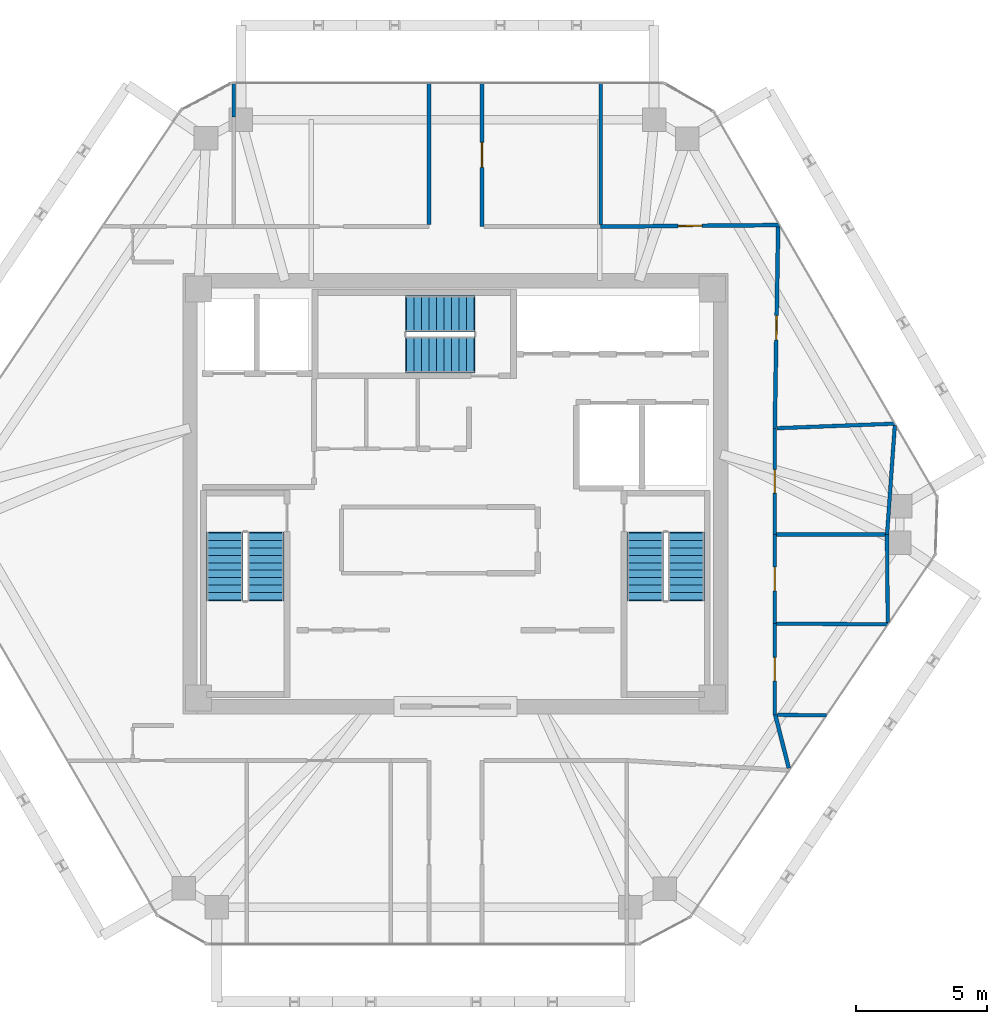
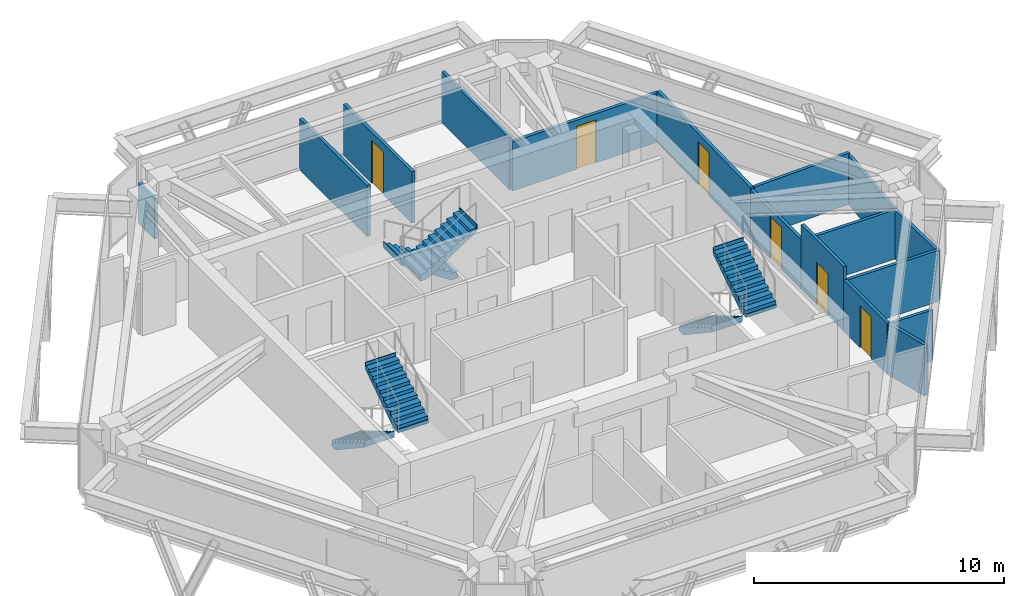
# One storey, part 10 of 11: 16 walls, 6 doors, 6 stair flights, 6 openings, 3 elements without a shape of their own.
"""IFC4 building model written with IfcOpenShell, lengths in metres."""

from ifc_helpers import new_model, si_unit, direction, frame, frame_2d, origin, place, context, subcontext, project, spatial, polyline, rectangle, outline, extrude, source, transform, mapped, material, layer, layer_set, type_object, type_shapes, element, fill, aggregate, save


model = new_model("IFC4")

# Units and contexts
model_context = context("Model", 3, precision=1e-05, world=origin(), true_north=direction((0.0, 1.0)))
body_context = subcontext(model_context, "Body", "Model", "MODEL_VIEW")
ifc_project = project(units=[si_unit("LENGTHUNIT", "METRE"), si_unit("AREAUNIT", "SQUARE_METRE"), si_unit("VOLUMEUNIT", "CUBIC_METRE"), si_unit("PLANEANGLEUNIT", "RADIAN"), si_unit("MASSUNIT", "GRAM", prefix="KILO")], contexts=[model_context])

# Site, building, storey
site_placement = place(None, origin())
site = spatial("IfcSite", under=ifc_project, at=site_placement, CompositionType="ELEMENT")
building_placement = place(site_placement, origin())
building = spatial("IfcBuilding", under=site, at=building_placement, Name="Durnholm Broadcast Tower", CompositionType="ELEMENT")
storey_placement = place(building_placement, frame((0.0, 0.0, 258.10009765625)))
storey = spatial("IfcBuildingStorey", under=building, at=storey_placement, Name="L72", CompositionType="ELEMENT", Elevation=258.10009765625)

# Walls
ifc_material_1 = material(Name="Gypsum Metal Stud Partition", Category="concrete")
ifc_layer_1 = layer(ifc_material_1, 0.135009765625)
ifc_layer_set_1 = layer_set([ifc_layer_1], Name="Gypsum Metal Stud Partition")
wall_type_1 = type_object("IfcWallType", Name="WALL-PART-135", PredefinedType="PARTITIONING", material=ifc_layer_set_1)
wall_1_placement = place(storey_placement, frame((-8.4599609375, 15.662109375, 0.0), z_axis=(0.0, 0.0, 1.0), x_axis=(0.0, -1.0, 0.0)))
element("IfcWall", 1, at=wall_1_placement, inside=storey, type_object=wall_type_1, Name="L72 room dividing partition 12.13", PredefinedType="PARTITIONING", context=body_context, shape_type="SweptSolid", body=[
    extrude(rectangle(XDim=1.301025390625, YDim=0.135009765625, at=frame_2d((0.650390625, 0.0))), origin(), (0.0, 0.0, 1.0), 1.97705078125),
])
wall_2_placement = place(storey_placement, frame((5.5400390625, 15.662109375, 0.0), z_axis=(0.0, 0.0, 1.0), x_axis=(0.0, -1.0, 0.0)))
element("IfcWall", 2, at=wall_2_placement, inside=storey, type_object=wall_type_1, Name="L72 room dividing partition 14.15", PredefinedType="PARTITIONING", context=body_context, shape_type="SweptSolid", body=[
    extrude(rectangle(XDim=5.40234375, YDim=0.135009765625, at=frame_2d((2.701171875, 0.0))), origin(), (0.0, 0.0, 1.0), 2.498779296875),
])
ifc_material_2 = material(Name="Acoustic Gypsum Stud Partition", Category="concrete")
ifc_layer_2 = layer(ifc_material_2, 0.14990234375)
ifc_layer_set_2 = layer_set([ifc_layer_2], Name="Acoustic Gypsum Stud Partition")
wall_type_2 = type_object("IfcWallType", Name="WALL-PART-150", PredefinedType="PARTITIONING", material=ifc_layer_set_2)
wall_3_placement = place(storey_placement, frame((-1.010009765625, 15.662109375, 0.0), z_axis=(0.0, 0.0, 1.0), x_axis=(0.0, -1.0, 0.0)))
element("IfcWall", 3, at=wall_3_placement, inside=storey, type_object=wall_type_2, Name="L72 Fellows Meeting Room 2 corridor partition", PredefinedType="PARTITIONING", context=body_context, shape_type="SweptSolid", body=[
    extrude(rectangle(XDim=5.403076171875, YDim=0.14990234375, at=frame_2d((2.70166015625, 0.0))), origin(), (0.0, 0.0, 1.0), 2.498779296875),
])

# Wall, opening, door
wall_4_placement = place(storey_placement, frame((1.010009765625, 10.179931640625, 0.0), z_axis=(0.0, 0.0, 1.0), x_axis=(0.0, 1.0, 0.0)))
wall_4 = element("IfcWall", 4, at=wall_4_placement, inside=storey, type_object=wall_type_2, Name="L72 Fellows Meeting Room 3 corridor partition", PredefinedType="PARTITIONING", context=body_context, shape_type="SweptSolid", body=[
    extrude(rectangle(XDim=5.482177734375, YDim=0.14990234375, at=frame_2d((2.7412109375, 0.0))), origin(), (0.0, 0.0, 1.0), 2.498779296875),
])
opening_1_placement = place(wall_4_placement, frame((2.26611328125, 0.0, 0.0)))
opening_1 = element("IfcOpeningElement", 5, at=opening_1_placement, cuts=wall_4, Name="Opening DR-95L", PredefinedType="OPENING", context=body_context, shape_type="SweptSolid", body=[
    extrude(rectangle(XDim=0.949951171875, YDim=2.10009765625, at=frame_2d((0.47509765625, 1.050048828125))), frame((0.0, 0.0849609375, 0.0), z_axis=(0.0, -1.0, 0.0), x_axis=(1.0, 0.0, 0.0)), (0.0, 0.0, 1.0), 0.169921875),
])
ifc_material_3 = material(Name="Acoustic Oak Veneer Timber Door", Category="wood")
ifc_layer_3 = layer(ifc_material_3, 0.050048828125)
ifc_layer_set_3 = layer_set([ifc_layer_3], Name="Acoustic Oak Veneer Timber Door")
door_type_1 = type_object("IfcDoorType", Name="DOOR-RM-950L", OperationType="NOTDEFINED", PredefinedType="DOOR", material=ifc_layer_set_3)
shared_shape_1 = source(origin(), body_context, "Body", "SweptSolid", [
    extrude(rectangle(XDim=0.949951171875, YDim=2.10009765625, at=frame_2d((0.47509765625, 1.050048828125))), frame((0.0, 0.02490234375, 0.0), z_axis=(0.0, -1.0, 0.0), x_axis=(1.0, 0.0, 0.0)), (0.0, 0.0, 1.0), 0.050048828125),
])
type_shapes(door_type_1, [shared_shape_1])
door_1_placement = place(opening_1_placement, origin())
door_1 = element("IfcDoor", 6, at=door_1_placement, inside=storey, type_object=door_type_1, Name="L72 Fellows Meeting Room 3 entrance door", OperationType="SINGLE_SWING_LEFT", OverallHeight=2.10009765625, OverallWidth=0.949951171875, PredefinedType="DOOR", context=body_context, shape_type="MappedRepresentation", body=[
    mapped(shared_shape_1, transform((0.0, 0.0, 0.0), x_axis=(1.0, 0.0, 0.0), y_axis=(0.0, 1.0, 0.0), z_axis=(0.0, 0.0, 1.0), scale=1.0)),
])
fill(opening_1, door_1)

wall_5_placement = place(storey_placement, frame((12.368408203125, 10.242919921875, 0.0), z_axis=(0.0, 0.0, 1.0), x_axis=(-0.999958440586, -0.009116858034, 0.0)))
wall_5 = element("IfcWall", 7, at=wall_5_placement, inside=storey, type_object=wall_type_2, Name="L72 Open Plan Broadcast Workspace 5 corridor partition", PredefinedType="PARTITIONING", context=body_context, shape_type="SweptSolid", body=[
    extrude(rectangle(XDim=6.82861328125, YDim=0.14990234375, at=frame_2d((3.414306640625, 0.0))), origin(), (0.0, 0.0, 1.0), 2.401123046875),
])
opening_2_placement = place(wall_5_placement, frame((2.954345703125, 0.0, 0.0)))
opening_2 = element("IfcOpeningElement", 8, at=opening_2_placement, cuts=wall_5, Name="Opening DR-92R", PredefinedType="OPENING", context=body_context, shape_type="SweptSolid", body=[
    extrude(rectangle(XDim=0.919921875, YDim=2.10009765625, at=frame_2d((0.4599609375, 1.050048828125))), frame((0.0, 0.0849609375, 0.0), z_axis=(0.0, -1.0, 0.0), x_axis=(1.0, 0.0, 0.0)), (0.0, 0.0, 1.0), 0.169921875),
])
ifc_material_4 = material(Name="Oak Veneer Office Door", Category="wood")
ifc_layer_4 = layer(ifc_material_4, 0.050048828125)
ifc_layer_set_4 = layer_set([ifc_layer_4], Name="Oak Veneer Office Door")
door_type_2 = type_object("IfcDoorType", Name="DOOR-RM-920R", OperationType="NOTDEFINED", PredefinedType="DOOR", material=ifc_layer_set_4)
shared_shape_2 = source(origin(), body_context, "Body", "SweptSolid", [
    extrude(rectangle(XDim=0.919921875, YDim=2.10009765625, at=frame_2d((0.4599609375, 1.050048828125))), frame((0.0, 0.02490234375, 0.0), z_axis=(0.0, -1.0, 0.0), x_axis=(1.0, 0.0, 0.0)), (0.0, 0.0, 1.0), 0.050048828125),
])
type_shapes(door_type_2, [shared_shape_2])
door_2_placement = place(opening_2_placement, origin())
door_2 = element("IfcDoor", 9, at=door_2_placement, inside=storey, type_object=door_type_2, Name="L72 Open Plan Broadcast Workspace 5 entrance door", OperationType="SINGLE_SWING_RIGHT", OverallHeight=2.10009765625, OverallWidth=0.919921875, PredefinedType="DOOR", context=body_context, shape_type="MappedRepresentation", body=[
    mapped(shared_shape_2, transform((0.0, 0.0, 0.0), x_axis=(1.0, 0.0, 0.0), y_axis=(0.0, 1.0, 0.0), z_axis=(0.0, 0.0, 1.0), scale=1.0)),
])
fill(opening_2, door_2)

# Wall
wall_6_placement = place(storey_placement, frame((12.718505859375, -10.477294921875, 0.0), z_axis=(0.0, 0.0, 1.0), x_axis=(-0.246550381988, 0.96912997536, 0.0)))
element("IfcWall", 10, at=wall_6_placement, inside=storey, type_object=wall_type_2, Name="L72 Fellows Meeting Room 2 corridor partition", PredefinedType="PARTITIONING", context=body_context, shape_type="SweptSolid", body=[
    extrude(rectangle(XDim=2.102294921875, YDim=0.14990234375, at=frame_2d((1.05126953125, 0.0))), origin(), (0.0, 0.0, 1.0), 2.498779296875),
])

# Wall, opening, door
wall_7_placement = place(storey_placement, frame((12.181396484375, 2.489990234375, 0.0), z_axis=(0.0, 0.0, 1.0), x_axis=(0.016828669653, 0.999858387912, 0.0)))
wall_7 = element("IfcWall", 11, at=wall_7_placement, inside=storey, type_object=wall_type_2, Name="L72 Open Plan Broadcast Workspace 1 corridor partition", PredefinedType="PARTITIONING", context=body_context, shape_type="SweptSolid", body=[
    extrude(rectangle(XDim=7.67431640625, YDim=0.14990234375, at=frame_2d((3.837158203125, 0.0))), origin(), (0.0, 0.0, 1.0), 2.498779296875),
])
opening_3_placement = place(wall_7_placement, frame((3.377197265625, 0.0, 0.0)))
opening_3 = element("IfcOpeningElement", 12, at=opening_3_placement, cuts=wall_7, Name="Opening DR-92R", PredefinedType="OPENING", context=body_context, shape_type="SweptSolid", body=[
    extrude(rectangle(XDim=0.919921875, YDim=2.10009765625, at=frame_2d((0.4599609375, 1.050048828125))), frame((0.0, 0.0849609375, 0.0), z_axis=(0.0, -1.0, 0.0), x_axis=(1.0, 0.0, 0.0)), (0.0, 0.0, 1.0), 0.169921875),
])
door_3_placement = place(opening_3_placement, origin())
door_3 = element("IfcDoor", 13, at=door_3_placement, inside=storey, type_object=door_type_2, Name="L72 Open Plan Broadcast Workspace 1 entrance door", OperationType="SINGLE_SWING_RIGHT", OverallHeight=2.10009765625, OverallWidth=0.919921875, PredefinedType="DOOR", context=body_context, shape_type="MappedRepresentation", body=[
    mapped(shared_shape_2, transform((0.0, 0.0, 0.0), x_axis=(1.0, 0.0, 0.0), y_axis=(0.0, 1.0, 0.0), z_axis=(0.0, 0.0, 1.0), scale=1.0)),
])
fill(opening_3, door_3)

ifc_material_5 = material(Name="Moisture-Resistant Tile Partition", Category="concrete")
ifc_layer_5 = layer(ifc_material_5, 0.139892578125)
ifc_layer_set_5 = layer_set([ifc_layer_5], Name="Moisture-Resistant Tile Partition")
wall_type_3 = type_object("IfcWallType", Name="WALL-WC-140", PredefinedType="PARTITIONING", material=ifc_layer_set_5)
wall_8_placement = place(storey_placement, frame((12.179931640625, -8.43994140625, 0.0), z_axis=(0.0, 0.0, 1.0), x_axis=(0.0, 1.0, 0.0)))
wall_8 = element("IfcWall", 14, at=wall_8_placement, inside=storey, type_object=wall_type_3, Name="L72 Men's Restroom corridor partition", PredefinedType="PARTITIONING", context=body_context, shape_type="SweptSolid", body=[
    extrude(rectangle(XDim=3.47998046875, YDim=0.139892578125, at=frame_2d((1.739990234375, 0.0))), origin(), (0.0, 0.0, 1.0), 2.498779296875),
])
opening_4_placement = place(wall_8_placement, frame((1.2900390625, 0.0, 0.0)))
opening_4 = element("IfcOpeningElement", 15, at=opening_4_placement, cuts=wall_8, Name="Opening DW-90R", PredefinedType="OPENING", context=body_context, shape_type="SweptSolid", body=[
    extrude(rectangle(XDim=0.89990234375, YDim=2.050048828125, at=frame_2d((0.449951171875, 1.02490234375))), frame((0.0, 0.080078125, 0.0), z_axis=(0.0, -1.0, 0.0), x_axis=(1.0, 0.0, 0.0)), (0.0, 0.0, 1.0), 0.159912109375),
])
ifc_material_6 = material(Name="Laminate Restroom Door", Category="steel")
ifc_layer_6 = layer(ifc_material_6, 0.050048828125)
ifc_layer_set_6 = layer_set([ifc_layer_6], Name="Laminate Restroom Door")
door_type_3 = type_object("IfcDoorType", Name="DOOR-WC-900R", OperationType="NOTDEFINED", PredefinedType="DOOR", material=ifc_layer_set_6)
shared_shape_3 = source(origin(), body_context, "Body", "SweptSolid", [
    extrude(rectangle(XDim=0.89990234375, YDim=2.050048828125, at=frame_2d((0.449951171875, 1.02490234375))), frame((0.0, 0.02490234375, 0.0), z_axis=(0.0, -1.0, 0.0), x_axis=(1.0, 0.0, 0.0)), (0.0, 0.0, 1.0), 0.050048828125),
])
type_shapes(door_type_3, [shared_shape_3])
door_4_placement = place(opening_4_placement, origin())
door_4 = element("IfcDoor", 16, at=door_4_placement, inside=storey, type_object=door_type_3, Name="L72 Men's Restroom entrance door", OperationType="SINGLE_SWING_RIGHT", OverallHeight=2.050048828125, OverallWidth=0.89990234375, PredefinedType="DOOR", context=body_context, shape_type="MappedRepresentation", body=[
    mapped(shared_shape_3, transform((0.0, 0.0, 0.0), x_axis=(1.0, 0.0, 0.0), y_axis=(0.0, 1.0, 0.0), z_axis=(0.0, 0.0, 1.0), scale=1.0)),
])
fill(opening_4, door_4)

wall_9_placement = place(storey_placement, frame((12.179931640625, -4.9599609375, 0.0), z_axis=(0.0, 0.0, 1.0), x_axis=(0.0, 1.0, 0.0)))
wall_9 = element("IfcWall", 17, at=wall_9_placement, inside=storey, type_object=wall_type_3, Name="L72 Women's Restroom corridor partition", PredefinedType="PARTITIONING", context=body_context, shape_type="SweptSolid", body=[
    extrude(rectangle(XDim=3.39990234375, YDim=0.139892578125, at=frame_2d((1.699951171875, 0.0))), origin(), (0.0, 0.0, 1.0), 3.14501953125),
])
opening_5_placement = place(wall_9_placement, frame((1.25, 0.0, 0.0)))
opening_5 = element("IfcOpeningElement", 18, at=opening_5_placement, cuts=wall_9, Name="Opening DW-90L", PredefinedType="OPENING", context=body_context, shape_type="SweptSolid", body=[
    extrude(rectangle(XDim=0.89990234375, YDim=2.050048828125, at=frame_2d((0.449951171875, 1.02490234375))), frame((0.0, 0.080078125, 0.0), z_axis=(0.0, -1.0, 0.0), x_axis=(1.0, 0.0, 0.0)), (0.0, 0.0, 1.0), 0.159912109375),
])
ifc_layer_7 = layer(ifc_material_6, 0.050048828125)
ifc_layer_set_7 = layer_set([ifc_layer_7], Name="Laminate Restroom Door")
door_type_4 = type_object("IfcDoorType", Name="DOOR-WC-900L", OperationType="NOTDEFINED", PredefinedType="DOOR", material=ifc_layer_set_7)
shared_shape_4 = source(origin(), body_context, "Body", "SweptSolid", [
    extrude(rectangle(XDim=0.89990234375, YDim=2.050048828125, at=frame_2d((0.449951171875, 1.02490234375))), frame((0.0, 0.02490234375, 0.0), z_axis=(0.0, -1.0, 0.0), x_axis=(1.0, 0.0, 0.0)), (0.0, 0.0, 1.0), 0.050048828125),
])
type_shapes(door_type_4, [shared_shape_4])
door_5_placement = place(opening_5_placement, origin())
door_5 = element("IfcDoor", 19, at=door_5_placement, inside=storey, type_object=door_type_4, Name="L72 Women's Restroom entrance door", OperationType="SINGLE_SWING_LEFT", OverallHeight=2.050048828125, OverallWidth=0.89990234375, PredefinedType="DOOR", context=body_context, shape_type="MappedRepresentation", body=[
    mapped(shared_shape_4, transform((0.0, 0.0, 0.0), x_axis=(1.0, 0.0, 0.0), y_axis=(0.0, 1.0, 0.0), z_axis=(0.0, 0.0, 1.0), scale=1.0)),
])
fill(opening_5, door_5)

wall_10_placement = place(storey_placement, frame((12.179931640625, -1.56005859375, 0.0), z_axis=(0.0, 0.0, 1.0), x_axis=(0.0, 1.0, 0.0)))
wall_10 = element("IfcWall", 20, at=wall_10_placement, inside=storey, type_object=wall_type_3, Name="L72 Accessible Restroom corridor partition", PredefinedType="PARTITIONING", context=body_context, shape_type="SweptSolid", body=[
    extrude(rectangle(XDim=4.050048828125, YDim=0.139892578125, at=frame_2d((2.02490234375, 0.0))), origin(), (0.0, 0.0, 1.0), 2.401123046875),
])
opening_6_placement = place(wall_10_placement, frame((1.574951171875, 0.0, 0.0)))
opening_6 = element("IfcOpeningElement", 21, at=opening_6_placement, cuts=wall_10, Name="Opening DW-90R", PredefinedType="OPENING", context=body_context, shape_type="SweptSolid", body=[
    extrude(rectangle(XDim=0.89990234375, YDim=2.050048828125, at=frame_2d((0.449951171875, 1.02490234375))), frame((0.0, 0.080078125, 0.0), z_axis=(0.0, -1.0, 0.0), x_axis=(1.0, 0.0, 0.0)), (0.0, 0.0, 1.0), 0.159912109375),
])
door_6_placement = place(opening_6_placement, origin())
door_6 = element("IfcDoor", 22, at=door_6_placement, inside=storey, type_object=door_type_3, Name="L72 Accessible Restroom entrance door", OperationType="SINGLE_SWING_RIGHT", OverallHeight=2.050048828125, OverallWidth=0.89990234375, PredefinedType="DOOR", context=body_context, shape_type="MappedRepresentation", body=[
    mapped(shared_shape_3, transform((0.0, 0.0, 0.0), x_axis=(1.0, 0.0, 0.0), y_axis=(0.0, 1.0, 0.0), z_axis=(0.0, 0.0, 1.0), scale=1.0)),
])
fill(opening_6, door_6)

# Walls
wall_11_placement = place(storey_placement, frame((12.25390625, -4.96044921875, 0.0), z_axis=(0.0, 0.0, 1.0), x_axis=(0.999976630429, -0.006836563198, 0.0)))
element("IfcWall", 23, at=wall_11_placement, inside=storey, type_object=wall_type_3, Name="L72 room dividing partition 9.10", PredefinedType="PARTITIONING", context=body_context, shape_type="SweptSolid", body=[
    extrude(rectangle(XDim=4.24951171875, YDim=0.139892578125, at=frame_2d((2.124755859375, 0.0))), origin(), (0.0, 0.0, 1.0), 2.498779296875),
])
wall_12_placement = place(storey_placement, frame((14.155517578125, -8.46240234375, 0.0), z_axis=(0.0, 0.0, 1.0), x_axis=(-0.999935742613, 0.011336253532, 0.0)))
element("IfcWall", 24, at=wall_12_placement, inside=storey, type_object=wall_type_3, Name="L72 room dividing partition 9.20", PredefinedType="PARTITIONING", context=body_context, shape_type="SweptSolid", body=[
    extrude(rectangle(XDim=1.87353515625, YDim=0.139892578125, at=frame_2d((0.936767578125, 0.0))), origin(), (0.0, 0.0, 1.0), 2.498779296875),
])
wall_13_placement = place(storey_placement, frame((12.25390625, -1.56005859375, 0.0), z_axis=(0.0, 0.0, 1.0), x_axis=(1.0, 0.0, 0.0)))
element("IfcWall", 25, at=wall_13_placement, inside=storey, type_object=wall_type_3, Name="L72 room dividing partition 10.11", PredefinedType="PARTITIONING", context=body_context, shape_type="SweptSolid", body=[
    extrude(rectangle(XDim=4.2060546875, YDim=0.139892578125, at=frame_2d((2.10302734375, 0.0))), origin(), (0.0, 0.0, 1.0), 2.401123046875),
])
wall_14_placement = place(storey_placement, frame((16.4599609375, -1.56005859375, 0.0), z_axis=(0.0, 0.0, 1.0), x_axis=(0.009604446748, -0.999953876238, 0.0)))
element("IfcWall", 26, at=wall_14_placement, inside=storey, type_object=wall_type_3, Name="L72 room dividing partition 10.23", PredefinedType="PARTITIONING", context=body_context, shape_type="SweptSolid", body=[
    extrude(rectangle(XDim=3.35546875, YDim=0.139892578125, at=frame_2d((1.677734375, 0.0))), origin(), (0.0, 0.0, 1.0), 2.401123046875),
])
wall_15_placement = place(storey_placement, frame((12.260498046875, 2.4931640625, 0.0), z_axis=(0.0, 0.0, 1.0), x_axis=(0.999256206289, 0.038562082324, 0.0)))
element("IfcWall", 27, at=wall_15_placement, inside=storey, type_object=wall_type_3, Name="L72 room dividing partition 11.23", PredefinedType="PARTITIONING", context=body_context, shape_type="SweptSolid", body=[
    extrude(rectangle(XDim=4.5078125, YDim=0.139892578125, at=frame_2d((2.25390625, 0.0))), origin(), (0.0, 0.0, 1.0), 2.498779296875),
])
wall_16_placement = place(storey_placement, frame((16.759521484375, 2.5927734375, 0.0), z_axis=(0.0, 0.0, 1.0), x_axis=(-0.07055102187, -0.997508172053, 0.0)))
element("IfcWall", 28, at=wall_16_placement, inside=storey, type_object=wall_type_3, Name="L72 room dividing partition 11.23", PredefinedType="PARTITIONING", context=body_context, shape_type="SweptSolid", body=[
    extrude(rectangle(XDim=4.162841796875, YDim=0.139892578125, at=frame_2d((2.08154296875, 0.0))), origin(), (0.0, 0.0, 1.0), 2.401123046875),
])

# Stair, stair flights
ifc_material_7 = material(Name="Concrete C50/60", Category="concrete")
stair_type = type_object("IfcStairType", Name="STAIR-DL-20R1700", PredefinedType="HALF_TURN_STAIR", material=ifc_material_7)
stair_1_placement = place(storey_placement, origin())
stair_1 = element("IfcStair", 29, at=stair_1_placement, inside=storey, type_object=stair_type, Name="L72 ST-1", PredefinedType="HALF_TURN_STAIR")
stair_flight_type = type_object("IfcStairFlightType", Name="FLIGHT-DL-20R1700", PredefinedType="STRAIGHT", material=ifc_material_7)
stair_flight_1_placement = place(storey_placement, frame((-8.800048828125, -1.5, 0.0), z_axis=(0.0, 0.0, 1.0), x_axis=(0.0, -1.0, 0.0)))
stair_flight_1 = element("IfcStairFlight", 30, at=stair_flight_1_placement, type_object=stair_flight_type, Name="ST-1 flight 1", NumberOfRisers=10, NumberOfTreads=9, PredefinedType="STRAIGHT", RiserHeight=0.17, TreadLength=0.285, context=body_context, shape_type="SweptSolid", body=[
    extrude(outline(polyline([(-0.0400390625, -0.14990234375), (-0.0400390625, 0.0), (0.0, 0.0), (0.0, 0.169921875), (0.284912109375, 0.169921875), (0.284912109375, 0.340087890625), (0.570068359375, 0.340087890625), (0.570068359375, 0.510009765625), (0.85498046875, 0.510009765625), (0.85498046875, 0.679931640625), (1.139892578125, 0.679931640625), (1.139892578125, 0.85009765625), (1.425048828125, 0.85009765625), (1.425048828125, 1.02001953125), (1.7099609375, 1.02001953125), (1.7099609375, 1.18994140625), (1.9951171875, 1.18994140625), (1.9951171875, 1.360107421875), (2.280029296875, 1.360107421875), (2.280029296875, 1.530029296875), (2.56494140625, 1.530029296875), (2.56494140625, 1.699951171875), (2.60498046875, 1.699951171875), (2.60498046875, 1.550048828125), (2.56494140625, 1.35546875), (0.292724609375, -0.14990234375), (-0.0400390625, -0.14990234375)])), frame((0.0, 0.699951171875, 0.0), z_axis=(0.0, -1.0, 0.0), x_axis=(1.0, 0.0, 0.0)), (0.0, 0.0, 1.0), 1.39990234375),
])
stair_flight_2_placement = place(storey_placement, frame((-7.239990234375, -4.06494140625, 1.699951171875), z_axis=(0.0, 0.0, 1.0), x_axis=(0.0, 1.0, 0.0)))
stair_flight_2 = element("IfcStairFlight", 31, at=stair_flight_2_placement, type_object=stair_flight_type, Name="ST-1 flight 2", NumberOfRisers=10, NumberOfTreads=9, PredefinedType="STRAIGHT", RiserHeight=0.17, TreadLength=0.285, context=body_context, shape_type="SweptSolid", body=[
    extrude(outline(polyline([(-0.0400390625, -0.14990234375), (-0.0400390625, 0.0), (0.0, 0.0), (0.0, 0.169921875), (0.284912109375, 0.169921875), (0.284912109375, 0.340087890625), (0.570068359375, 0.340087890625), (0.570068359375, 0.510009765625), (0.85498046875, 0.510009765625), (0.85498046875, 0.679931640625), (1.139892578125, 0.679931640625), (1.139892578125, 0.85009765625), (1.425048828125, 0.85009765625), (1.425048828125, 1.02001953125), (1.7099609375, 1.02001953125), (1.7099609375, 1.18994140625), (1.9951171875, 1.18994140625), (1.9951171875, 1.360107421875), (2.280029296875, 1.360107421875), (2.280029296875, 1.530029296875), (2.56494140625, 1.530029296875), (2.56494140625, 1.699951171875), (2.60498046875, 1.699951171875), (2.60498046875, 1.550048828125), (2.56494140625, 1.35546875), (0.292724609375, -0.14990234375), (-0.0400390625, -0.14990234375)])), frame((0.0, 0.699951171875, 0.0), z_axis=(0.0, -1.0, 0.0), x_axis=(1.0, 0.0, 0.0)), (0.0, 0.0, 1.0), 1.39990234375),
])
aggregate(stair_1, [stair_flight_1, stair_flight_2])

stair_2_placement = place(storey_placement, origin())
stair_2 = element("IfcStair", 32, at=stair_2_placement, inside=storey, type_object=stair_type, Name="L72 ST-2", PredefinedType="HALF_TURN_STAIR")
stair_flight_3_placement = place(storey_placement, frame((7.239990234375, -1.5, 0.0), z_axis=(0.0, 0.0, 1.0), x_axis=(0.0, -1.0, 0.0)))
stair_flight_3 = element("IfcStairFlight", 33, at=stair_flight_3_placement, type_object=stair_flight_type, Name="ST-2 flight 1", NumberOfRisers=10, NumberOfTreads=9, PredefinedType="STRAIGHT", RiserHeight=0.17, TreadLength=0.285, context=body_context, shape_type="SweptSolid", body=[
    extrude(outline(polyline([(-0.0400390625, -0.14990234375), (-0.0400390625, 0.0), (0.0, 0.0), (0.0, 0.169921875), (0.284912109375, 0.169921875), (0.284912109375, 0.340087890625), (0.570068359375, 0.340087890625), (0.570068359375, 0.510009765625), (0.85498046875, 0.510009765625), (0.85498046875, 0.679931640625), (1.139892578125, 0.679931640625), (1.139892578125, 0.85009765625), (1.425048828125, 0.85009765625), (1.425048828125, 1.02001953125), (1.7099609375, 1.02001953125), (1.7099609375, 1.18994140625), (1.9951171875, 1.18994140625), (1.9951171875, 1.360107421875), (2.280029296875, 1.360107421875), (2.280029296875, 1.530029296875), (2.56494140625, 1.530029296875), (2.56494140625, 1.699951171875), (2.60498046875, 1.699951171875), (2.60498046875, 1.550048828125), (2.56494140625, 1.35546875), (0.292724609375, -0.14990234375), (-0.0400390625, -0.14990234375)])), frame((0.0, 0.699951171875, 0.0), z_axis=(0.0, -1.0, 0.0), x_axis=(1.0, 0.0, 0.0)), (0.0, 0.0, 1.0), 1.39990234375),
])
stair_flight_4_placement = place(storey_placement, frame((8.800048828125, -4.06494140625, 1.699951171875), z_axis=(0.0, 0.0, 1.0), x_axis=(0.0, 1.0, 0.0)))
stair_flight_4 = element("IfcStairFlight", 34, at=stair_flight_4_placement, type_object=stair_flight_type, Name="ST-2 flight 2", NumberOfRisers=10, NumberOfTreads=9, PredefinedType="STRAIGHT", RiserHeight=0.17, TreadLength=0.285, context=body_context, shape_type="SweptSolid", body=[
    extrude(outline(polyline([(-0.0400390625, -0.14990234375), (-0.0400390625, 0.0), (0.0, 0.0), (0.0, 0.169921875), (0.284912109375, 0.169921875), (0.284912109375, 0.340087890625), (0.570068359375, 0.340087890625), (0.570068359375, 0.510009765625), (0.85498046875, 0.510009765625), (0.85498046875, 0.679931640625), (1.139892578125, 0.679931640625), (1.139892578125, 0.85009765625), (1.425048828125, 0.85009765625), (1.425048828125, 1.02001953125), (1.7099609375, 1.02001953125), (1.7099609375, 1.18994140625), (1.9951171875, 1.18994140625), (1.9951171875, 1.360107421875), (2.280029296875, 1.360107421875), (2.280029296875, 1.530029296875), (2.56494140625, 1.530029296875), (2.56494140625, 1.699951171875), (2.60498046875, 1.699951171875), (2.60498046875, 1.550048828125), (2.56494140625, 1.35546875), (0.292724609375, -0.14990234375), (-0.0400390625, -0.14990234375)])), frame((0.0, 0.699951171875, 0.0), z_axis=(0.0, -1.0, 0.0), x_axis=(1.0, 0.0, 0.0)), (0.0, 0.0, 1.0), 1.39990234375),
])
aggregate(stair_2, [stair_flight_3, stair_flight_4])

stair_3_placement = place(storey_placement, origin())
stair_3 = element("IfcStair", 35, at=stair_3_placement, inside=storey, type_object=stair_type, Name="L72 ST-3", PredefinedType="HALF_TURN_STAIR")
stair_flight_5_placement = place(storey_placement, frame((0.699951171875, 6.860107421875, 0.0), z_axis=(0.0, 0.0, 1.0), x_axis=(-1.0, 0.0, 0.0)))
stair_flight_5 = element("IfcStairFlight", 36, at=stair_flight_5_placement, type_object=stair_flight_type, Name="ST-3 flight 1", NumberOfRisers=10, NumberOfTreads=9, PredefinedType="STRAIGHT", RiserHeight=0.17, TreadLength=0.285, context=body_context, shape_type="SweptSolid", body=[
    extrude(outline(polyline([(-0.0400390625, -0.14990234375), (-0.0400390625, 0.0), (0.0, 0.0), (0.0, 0.169921875), (0.284912109375, 0.169921875), (0.284912109375, 0.340087890625), (0.570068359375, 0.340087890625), (0.570068359375, 0.510009765625), (0.85498046875, 0.510009765625), (0.85498046875, 0.679931640625), (1.139892578125, 0.679931640625), (1.139892578125, 0.85009765625), (1.425048828125, 0.85009765625), (1.425048828125, 1.02001953125), (1.7099609375, 1.02001953125), (1.7099609375, 1.18994140625), (1.9951171875, 1.18994140625), (1.9951171875, 1.360107421875), (2.280029296875, 1.360107421875), (2.280029296875, 1.530029296875), (2.56494140625, 1.530029296875), (2.56494140625, 1.699951171875), (2.60498046875, 1.699951171875), (2.60498046875, 1.550048828125), (2.56494140625, 1.35546875), (0.292724609375, -0.14990234375), (-0.0400390625, -0.14990234375)])), frame((0.0, 0.699951171875, 0.0), z_axis=(0.0, -1.0, 0.0), x_axis=(1.0, 0.0, 0.0)), (0.0, 0.0, 1.0), 1.39990234375),
])
stair_flight_6_placement = place(storey_placement, frame((-1.864990234375, 5.300048828125, 1.699951171875), z_axis=(0.0, 0.0, 1.0), x_axis=(1.0, 0.0, 0.0)))
stair_flight_6 = element("IfcStairFlight", 37, at=stair_flight_6_placement, type_object=stair_flight_type, Name="ST-3 flight 2", NumberOfRisers=10, NumberOfTreads=9, PredefinedType="STRAIGHT", RiserHeight=0.17, TreadLength=0.285, context=body_context, shape_type="SweptSolid", body=[
    extrude(outline(polyline([(-0.0400390625, -0.14990234375), (-0.0400390625, 0.0), (0.0, 0.0), (0.0, 0.169921875), (0.284912109375, 0.169921875), (0.284912109375, 0.340087890625), (0.570068359375, 0.340087890625), (0.570068359375, 0.510009765625), (0.85498046875, 0.510009765625), (0.85498046875, 0.679931640625), (1.139892578125, 0.679931640625), (1.139892578125, 0.85009765625), (1.425048828125, 0.85009765625), (1.425048828125, 1.02001953125), (1.7099609375, 1.02001953125), (1.7099609375, 1.18994140625), (1.9951171875, 1.18994140625), (1.9951171875, 1.360107421875), (2.280029296875, 1.360107421875), (2.280029296875, 1.530029296875), (2.56494140625, 1.530029296875), (2.56494140625, 1.699951171875), (2.60498046875, 1.699951171875), (2.60498046875, 1.550048828125), (2.56494140625, 1.35546875), (0.292724609375, -0.14990234375), (-0.0400390625, -0.14990234375)])), frame((0.0, 0.699951171875, 0.0), z_axis=(0.0, -1.0, 0.0), x_axis=(1.0, 0.0, 0.0)), (0.0, 0.0, 1.0), 1.39990234375),
])
aggregate(stair_3, [stair_flight_5, stair_flight_6])

save(model, "model.ifc")
